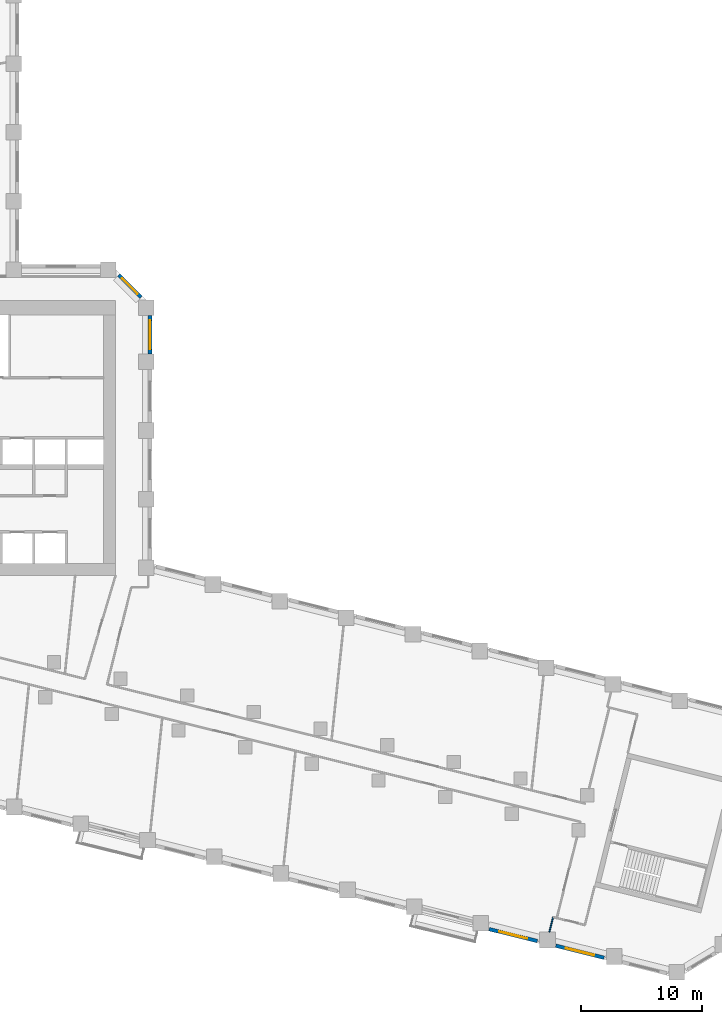
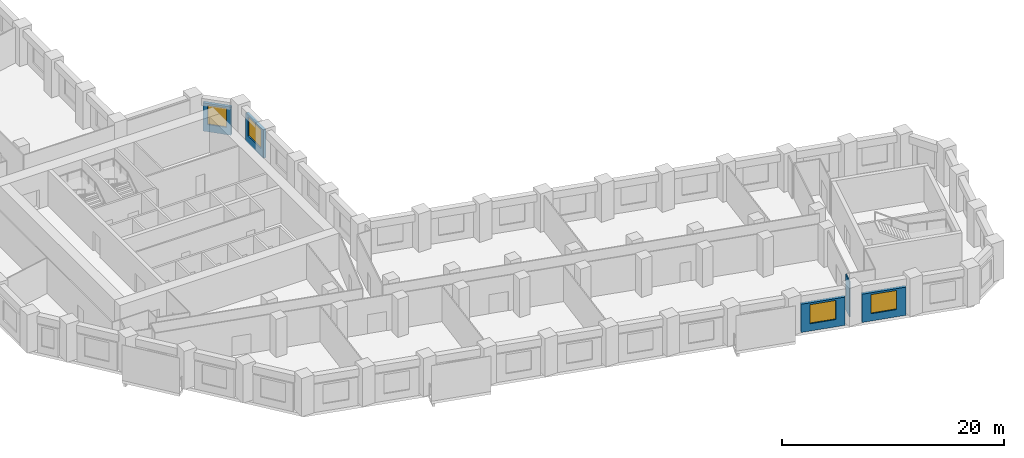
# One storey, part 6 of 11: 5 walls, 4 windows, 4 openings.
"""IFC4 building model written with IfcOpenShell, lengths in metres."""

from ifc_helpers import new_model, si_unit, direction, frame, frame_2d, origin, place, context, subcontext, project, spatial, rectangle, extrude, material, layer, layer_set, type_object, element, fill, save


model = new_model("IFC4")

# Units and contexts
model_context = context("Model", 3, precision=1e-05, world=origin(), true_north=direction((0.0, 1.0)))
body_context = subcontext(model_context, "Body", "Model", "MODEL_VIEW")
ifc_project = project(units=[si_unit("LENGTHUNIT", "METRE"), si_unit("AREAUNIT", "SQUARE_METRE"), si_unit("VOLUMEUNIT", "CUBIC_METRE"), si_unit("PLANEANGLEUNIT", "RADIAN"), si_unit("MASSUNIT", "GRAM", prefix="KILO")], contexts=[model_context])

# Site, building, storey
site_placement = place(None, origin())
site = spatial("IfcSite", under=ifc_project, at=site_placement, CompositionType="ELEMENT")
building_placement = place(site_placement, origin())
building = spatial("IfcBuilding", under=site, at=building_placement, Name="Meshkara Civic Tower", CompositionType="ELEMENT")
storey_placement = place(building_placement, frame((0.0, 0.0, 139.199951171875)))
storey = spatial("IfcBuildingStorey", under=building, at=storey_placement, Name="L31", CompositionType="ELEMENT", Elevation=139.199951171875)

# Wall, opening, window
ifc_material_1 = material(Name="Insulated infill panel with bronze anodised aluminium cladding", Category="aluminium")
ifc_layer_1 = layer(ifc_material_1, 0.300048828125)
ifc_layer_set_1 = layer_set([ifc_layer_1], Name="EXTERNAL INFILL WALL 300")
wall_type_1 = type_object("IfcWallType", Name="EXTERNAL INFILL WALL 300", PredefinedType="SOLIDWALL", material=ifc_layer_set_1)
wall_1_placement = place(storey_placement, frame((33.64990234375, 32.468994140625, 0.0), z_axis=(0.0, 0.0, 1.0), x_axis=(0.0, 1.0, 0.0)))
wall_1 = element("IfcWall", 1, at=wall_1_placement, inside=storey, type_object=wall_type_1, Name="External wall", PredefinedType="SOLIDWALL", context=body_context, shape_type="SweptSolid", body=[
    extrude(rectangle(XDim=3.175048828125, YDim=0.300048828125, at=frame_2d((1.58740234375, 0.0))), origin(), (0.0, 0.0, 1.0), 3.10009765625),
])
opening_1_placement = place(wall_1_placement, frame((0.387939453125, 0.0, 0.800048828125)))
opening_1 = element("IfcOpeningElement", 2, at=opening_1_placement, cuts=wall_1, Name="Opening W7", PredefinedType="OPENING", context=body_context, shape_type="SweptSolid", body=[
    extrude(rectangle(XDim=2.39990234375, YDim=2.10009765625, at=frame_2d((1.199951171875, 1.050048828125))), frame((0.0, 0.159912109375, 0.0), z_axis=(0.0, -1.0, 0.0), x_axis=(1.0, 0.0, 0.0)), (0.0, 0.0, 1.0), 0.320068359375),
])
ifc_material_2 = material(Name="Tinted double glazing", Category="glass")
window_type_1 = type_object("IfcWindowType", Name="WINDOW 2400x2100", PartitioningType="DOUBLE_PANEL_VERTICAL", PredefinedType="WINDOW", material=ifc_material_2)
window_1_placement = place(opening_1_placement, origin())
window_1 = element("IfcWindow", 3, at=window_1_placement, inside=storey, type_object=window_type_1, Name="Window", OverallHeight=2.10009765625, OverallWidth=2.39990234375, PartitioningType="DOUBLE_PANEL_VERTICAL", PredefinedType="WINDOW", context=body_context, shape_type="SweptSolid", body=[
    extrude(rectangle(XDim=2.39990234375, YDim=2.10009765625, at=frame_2d((1.199951171875, 1.050048828125))), frame((0.0, 0.030029296875, 0.0), z_axis=(0.0, -1.0, 0.0), x_axis=(1.0, 0.0, 0.0)), (0.0, 0.0, 1.0), 0.06005859375),
])
fill(opening_1, window_1)

wall_2_placement = place(storey_placement, frame((32.912109375, 37.156005859375, 0.0), z_axis=(0.0, 0.0, 1.0), x_axis=(-0.707153284542, 0.707060274772, 0.0)))
wall_2 = element("IfcWall", 4, at=wall_2_placement, inside=storey, type_object=wall_type_1, Name="External wall", PredefinedType="SOLIDWALL", context=body_context, shape_type="SweptSolid", body=[
    extrude(rectangle(XDim=2.625, YDim=0.300048828125, at=frame_2d((1.3125, 0.0))), origin(), (0.0, 0.0, 1.0), 3.10009765625),
])
opening_2_placement = place(wall_2_placement, frame((0.412109375, 0.0, 0.800048828125)))
opening_2 = element("IfcOpeningElement", 5, at=opening_2_placement, cuts=wall_2, Name="Opening W9", PredefinedType="OPENING", context=body_context, shape_type="SweptSolid", body=[
    extrude(rectangle(XDim=1.800048828125, YDim=2.10009765625, at=frame_2d((0.89990234375, 1.050048828125))), frame((0.0, 0.159912109375, 0.0), z_axis=(0.0, -1.0, 0.0), x_axis=(1.0, 0.0, 0.0)), (0.0, 0.0, 1.0), 0.320068359375),
])
ifc_material_3 = material(Name="Tinted double glazing", Category="glass")
window_type_2 = type_object("IfcWindowType", Name="WINDOW 1800x2100", PartitioningType="DOUBLE_PANEL_VERTICAL", PredefinedType="WINDOW", material=ifc_material_3)
window_2_placement = place(opening_2_placement, origin())
window_2 = element("IfcWindow", 6, at=window_2_placement, inside=storey, type_object=window_type_2, Name="Window", OverallHeight=2.10009765625, OverallWidth=1.800048828125, PartitioningType="DOUBLE_PANEL_VERTICAL", PredefinedType="WINDOW", context=body_context, shape_type="SweptSolid", body=[
    extrude(rectangle(XDim=1.800048828125, YDim=2.10009765625, at=frame_2d((0.89990234375, 1.050048828125))), frame((0.0, 0.030029296875, 0.0), z_axis=(0.0, -1.0, 0.0), x_axis=(1.0, 0.0, 0.0)), (0.0, 0.0, 1.0), 0.06005859375),
])
fill(opening_2, window_2)

wall_3_placement = place(storey_placement, frame((61.7890625, -15.2509765625, 0.0), z_axis=(0.0, 0.0, 1.0), x_axis=(0.970323340708, -0.24181111322, 0.0)))
wall_3 = element("IfcWall", 7, at=wall_3_placement, inside=storey, type_object=wall_type_1, Name="External wall", PredefinedType="SOLIDWALL", context=body_context, shape_type="SweptSolid", body=[
    extrude(rectangle(XDim=4.123291015625, YDim=0.300048828125, at=frame_2d((2.0615234375, 0.0))), origin(), (0.0, 0.0, 1.0), 3.10009765625),
])
opening_3_placement = place(wall_3_placement, frame((0.862060546875, 0.0, 0.800048828125)))
opening_3 = element("IfcOpeningElement", 8, at=opening_3_placement, cuts=wall_3, Name="Opening W7", PredefinedType="OPENING", context=body_context, shape_type="SweptSolid", body=[
    extrude(rectangle(XDim=2.39990234375, YDim=2.10009765625, at=frame_2d((1.199951171875, 1.050048828125))), frame((0.0, 0.159912109375, 0.0), z_axis=(0.0, -1.0, 0.0), x_axis=(1.0, 0.0, 0.0)), (0.0, 0.0, 1.0), 0.320068359375),
])
window_3_placement = place(opening_3_placement, origin())
window_3 = element("IfcWindow", 9, at=window_3_placement, inside=storey, type_object=window_type_1, Name="Window", OverallHeight=2.10009765625, OverallWidth=2.39990234375, PartitioningType="DOUBLE_PANEL_VERTICAL", PredefinedType="WINDOW", context=body_context, shape_type="SweptSolid", body=[
    extrude(rectangle(XDim=2.39990234375, YDim=2.10009765625, at=frame_2d((1.199951171875, 1.050048828125))), frame((0.0, 0.030029296875, 0.0), z_axis=(0.0, -1.0, 0.0), x_axis=(1.0, 0.0, 0.0)), (0.0, 0.0, 1.0), 0.06005859375),
])
fill(opening_3, window_3)

wall_4_placement = place(storey_placement, frame((67.319091796875, -16.6298828125, 0.0), z_axis=(0.0, 0.0, 1.0), x_axis=(0.970337184445, -0.241755555227, 0.0)))
wall_4 = element("IfcWall", 10, at=wall_4_placement, inside=storey, type_object=wall_type_1, Name="External wall", PredefinedType="SOLIDWALL", context=body_context, shape_type="SweptSolid", body=[
    extrude(rectangle(XDim=4.124267578125, YDim=0.300048828125, at=frame_2d((2.06201171875, 0.0))), origin(), (0.0, 0.0, 1.0), 3.10009765625),
])
opening_4_placement = place(wall_4_placement, frame((0.862060546875, 0.0, 0.800048828125)))
opening_4 = element("IfcOpeningElement", 11, at=opening_4_placement, cuts=wall_4, Name="Opening W7", PredefinedType="OPENING", context=body_context, shape_type="SweptSolid", body=[
    extrude(rectangle(XDim=2.39990234375, YDim=2.10009765625, at=frame_2d((1.199951171875, 1.050048828125))), frame((0.0, 0.159912109375, 0.0), z_axis=(0.0, -1.0, 0.0), x_axis=(1.0, 0.0, 0.0)), (0.0, 0.0, 1.0), 0.320068359375),
])
window_4_placement = place(opening_4_placement, origin())
window_4 = element("IfcWindow", 12, at=window_4_placement, inside=storey, type_object=window_type_1, Name="Window", OverallHeight=2.10009765625, OverallWidth=2.39990234375, PartitioningType="DOUBLE_PANEL_VERTICAL", PredefinedType="WINDOW", context=body_context, shape_type="SweptSolid", body=[
    extrude(rectangle(XDim=2.39990234375, YDim=2.10009765625, at=frame_2d((1.199951171875, 1.050048828125))), frame((0.0, 0.030029296875, 0.0), z_axis=(0.0, -1.0, 0.0), x_axis=(1.0, 0.0, 0.0)), (0.0, 0.0, 1.0), 0.06005859375),
])
fill(opening_4, window_4)

# Wall
ifc_material_4 = material(Name="Partition 100")
ifc_layer_2 = layer(ifc_material_4, 0.10009765625)
ifc_layer_set_2 = layer_set([ifc_layer_2], Name="Partition 100")
wall_type_2 = type_object("IfcWallType", Name="Partition 100", PredefinedType="PARTITIONING", material=ifc_layer_set_2)
wall_5_placement = place(storey_placement, frame((66.7890625, -15.498046875, 0.0), z_axis=(0.0, 0.0, 1.0), x_axis=(0.242221476086, 0.970220983345, 0.0)))
element("IfcWall", 13, at=wall_5_placement, inside=storey, type_object=wall_type_2, Name="L31-W050", PredefinedType="PARTITIONING", context=body_context, shape_type="SweptSolid", body=[
    extrude(rectangle(XDim=1.280029296875, YDim=0.10009765625, at=frame_2d((0.64013671875, 0.0))), origin(), (0.0, 0.0, 1.0), 3.900146484375),
])

save(model, "model.ifc")
